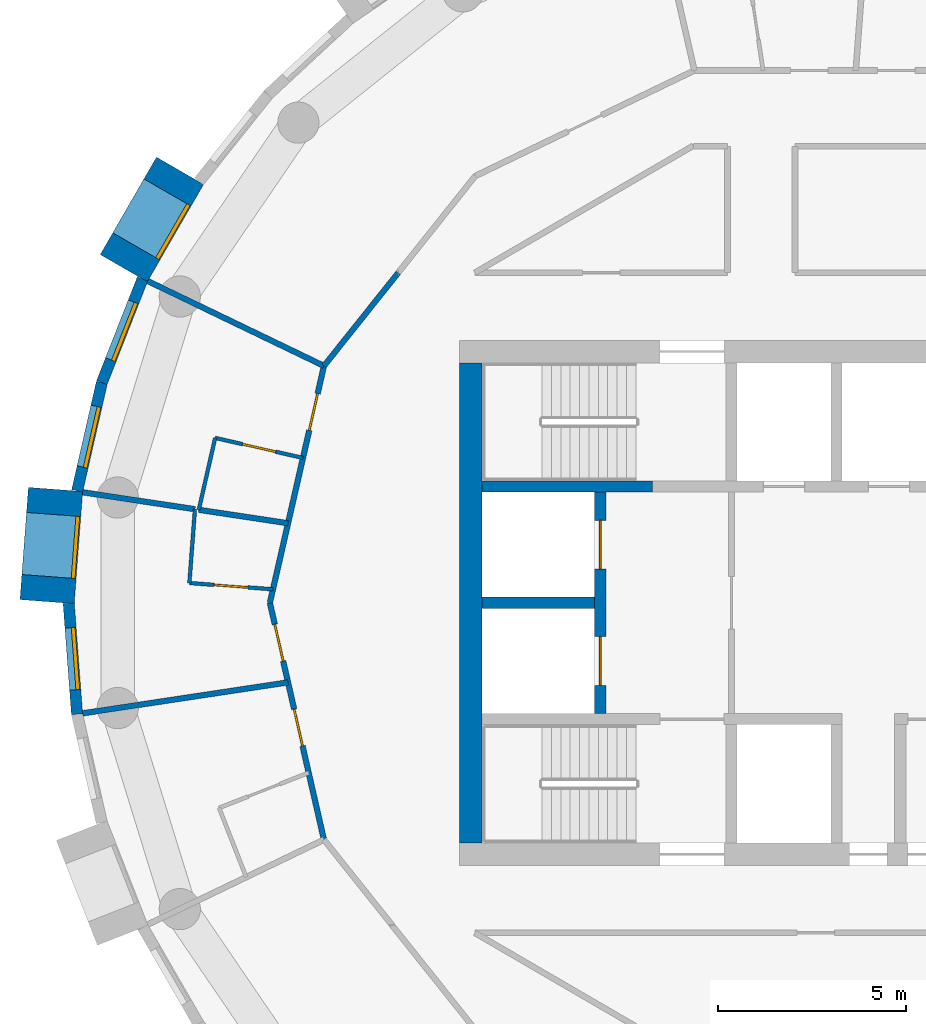
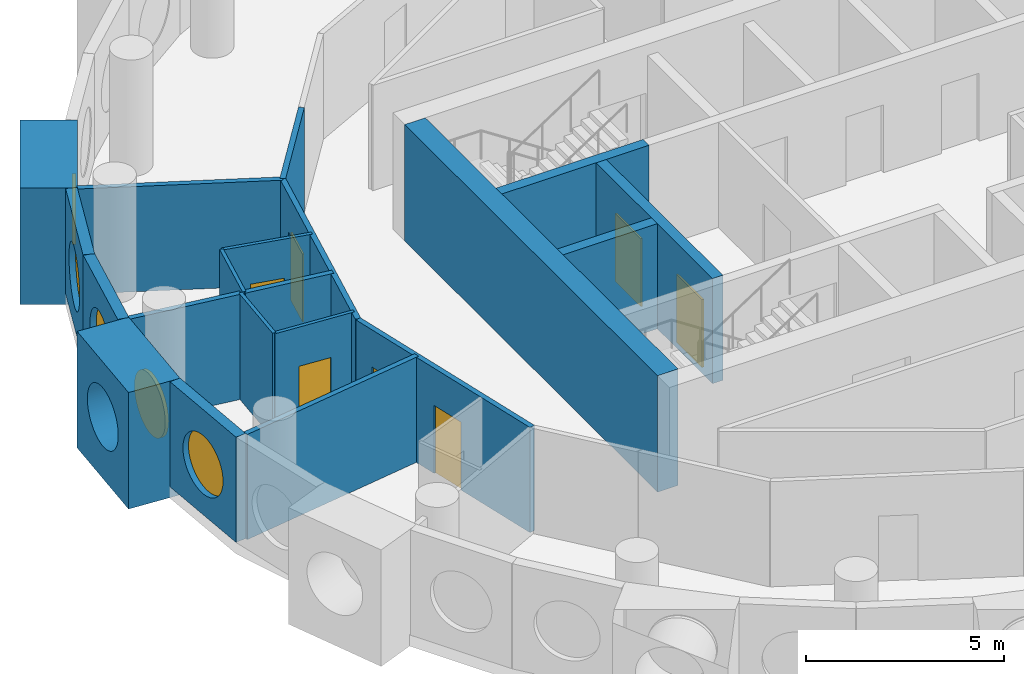
# One storey, part 5 of 12: 20 walls, 7 doors, 5 windows, 12 openings.
"""IFC4 building model written with IfcOpenShell, lengths in metres."""

from ifc_helpers import new_model, si_unit, direction, frame, frame_2d, origin, origin_2d, place, context, subcontext, project, spatial, rectangle, circle, extrude, material, layer, layer_set, type_object, element, fill, save


model = new_model("IFC4")

# Units and contexts
model_context = context("Model", 3, precision=1e-05, world=origin(), true_north=direction((0.0, 1.0)))
body_context = subcontext(model_context, "Body", "Model", "MODEL_VIEW")
ifc_project = project(units=[si_unit("LENGTHUNIT", "METRE"), si_unit("AREAUNIT", "SQUARE_METRE"), si_unit("VOLUMEUNIT", "CUBIC_METRE"), si_unit("PLANEANGLEUNIT", "RADIAN"), si_unit("MASSUNIT", "GRAM", prefix="KILO")], contexts=[model_context])

# Site, building, storey
site_placement = place(None, origin())
site = spatial("IfcSite", under=ifc_project, at=site_placement, CompositionType="ELEMENT")
building_placement = place(site_placement, origin())
building = spatial("IfcBuilding", under=site, at=building_placement, Name="Tracery Tower", CompositionType="ELEMENT")
storey_placement = place(building_placement, frame((0.0, 0.0, 245.39990234375)))
storey = spatial("IfcBuildingStorey", under=building, at=storey_placement, Name="L63", CompositionType="ELEMENT", Elevation=245.39990234375)

# Wall
ifc_material_1 = material(Name="Concrete C40/50", Category="concrete")
ifc_layer_1 = layer(ifc_material_1, 0.60009765625)
ifc_layer_set_1 = layer_set([ifc_layer_1], Name="Core wall 600 C40")
wall_type_1 = type_object("IfcWallType", Name="Core wall 600 C40", PredefinedType="SOLIDWALL", material=ifc_layer_set_1)
wall_1_placement = place(storey_placement, frame((-9.199951171875, -6.39990234375, 0.0), z_axis=(0.0, 0.0, 1.0), x_axis=(0.0, 1.0, 0.0)))
element("IfcWall", 1, at=wall_1_placement, inside=storey, type_object=wall_type_1, Name="L63 outer W", PredefinedType="SOLIDWALL", context=body_context, shape_type="SweptSolid", body=[
    extrude(rectangle(XDim=12.7998046875, YDim=0.60009765625, at=frame_2d((6.39990234375, 0.0))), origin(), (0.0, 0.0, 1.0), 3.60009765625),
])

# Wall, opening, window
ifc_material_2 = material(Name="Precast concrete C50/60", Category="concrete")
ifc_layer_2 = layer(ifc_material_2, 1.449951171875)
ifc_layer_set_2 = layer_set([ifc_layer_2], Name="Deep-set bay unit 3000 x 3600, slab edge 350")
wall_type_2 = type_object("IfcWallType", Name="Deep-set bay unit 3000 x 3600, slab edge 350", PredefinedType="ELEMENTEDWALL", material=ifc_layer_set_2)
wall_2_placement = place(storey_placement, frame((-16.952392578125, 11.51953125, -0.349853515625), z_axis=(0.0, 0.0, 1.0), x_axis=(-0.499990139034, -0.866031096941, 0.0)))
wall_2 = element("IfcWall", 2, at=wall_2_placement, inside=storey, type_object=wall_type_2, Name="Deep-set bay unit 18 at L63", PredefinedType="ELEMENTEDWALL", context=body_context, shape_type="SweptSolid", body=[
    extrude(rectangle(XDim=3.0, YDim=1.449951171875, at=frame_2d((1.5, 0.0))), origin(), (0.0, 0.0, 1.0), 3.599853515625),
])
opening_1_placement = place(wall_2_placement, frame((1.5, 0.0, 1.89990234375)))
opening_1 = element("IfcOpeningElement", 3, at=opening_1_placement, cuts=wall_2, Name="Opening WN1", PredefinedType="OPENING", context=body_context, shape_type="SweptSolid", body=[
    extrude(circle(Radius=0.9000244140625, at=origin_2d()), frame((0.0, 0.73486328125, 0.0), z_axis=(0.0, -1.0, 0.0), x_axis=(1.0, 0.0, 0.0)), (0.0, 0.0, 1.0), 1.469970703125),
])
ifc_material_3 = material(Name="Aluminium frame with tinted double glazing", Category="aluminium")
window_type = type_object("IfcWindowType", Name="Round window 1800", PartitioningType="SINGLE_PANEL", PredefinedType="WINDOW", material=ifc_material_3)
window_1_placement = place(opening_1_placement, origin())
window_1 = element("IfcWindow", 4, at=window_1_placement, inside=storey, type_object=window_type, Name="Round window 18 at L63", OverallHeight=1.800048828125, OverallWidth=1.800048828125, PartitioningType="SINGLE_PANEL", PredefinedType="WINDOW", context=body_context, shape_type="SweptSolid", body=[
    extrude(circle(Radius=0.9000244140625, at=origin_2d()), frame((0.0, 0.69482421875, 0.0), z_axis=(0.0, -1.0, 0.0), x_axis=(1.0, 0.0, 0.0)), (0.0, 0.0, 1.0), 0.10009765625),
])
fill(opening_1, window_1)

wall_3_placement = place(storey_placement, frame((-20.271728515625, 3.0234375, -0.349853515625), z_axis=(0.0, 0.0, 1.0), x_axis=(-0.074785902127, -0.997199613339, 0.0)))
wall_3 = element("IfcWall", 5, at=wall_3_placement, inside=storey, type_object=wall_type_2, Name="Deep-set bay unit 21 at L63", PredefinedType="ELEMENTEDWALL", context=body_context, shape_type="SweptSolid", body=[
    extrude(rectangle(XDim=3.0, YDim=1.449951171875, at=frame_2d((1.5, 0.0))), origin(), (0.0, 0.0, 1.0), 3.599853515625),
])
opening_2_placement = place(wall_3_placement, frame((1.5, 0.0, 1.89990234375)))
opening_2 = element("IfcOpeningElement", 6, at=opening_2_placement, cuts=wall_3, Name="Opening WN1", PredefinedType="OPENING", context=body_context, shape_type="SweptSolid", body=[
    extrude(circle(Radius=0.9000244140625, at=origin_2d()), frame((0.0, 0.73486328125, 0.0), z_axis=(0.0, -1.0, 0.0), x_axis=(1.0, 0.0, 0.0)), (0.0, 0.0, 1.0), 1.469970703125),
])
window_2_placement = place(opening_2_placement, origin())
window_2 = element("IfcWindow", 7, at=window_2_placement, inside=storey, type_object=window_type, Name="Round window 21 at L63", OverallHeight=1.800048828125, OverallWidth=1.800048828125, PartitioningType="SINGLE_PANEL", PredefinedType="WINDOW", context=body_context, shape_type="SweptSolid", body=[
    extrude(circle(Radius=0.9000244140625, at=origin_2d()), frame((0.0, 0.69482421875, 0.0), z_axis=(0.0, -1.0, 0.0), x_axis=(1.0, 0.0, 0.0)), (0.0, 0.0, 1.0), 0.10009765625),
])
fill(opening_2, window_2)

ifc_material_4 = material(Name="Precast concrete C50/60", Category="concrete")
ifc_layer_3 = layer(ifc_material_4, 0.300048828125)
ifc_layer_set_3 = layer_set([ifc_layer_3], Name="Facade panel 3000 x 3250")
wall_type_3 = type_object("IfcWallType", Name="Facade panel 3000 x 3250", PredefinedType="SOLIDWALL", material=ifc_layer_set_3)
wall_4_placement = place(storey_placement, frame((-17.95458984375, 8.62939453125, 0.0), z_axis=(0.0, 0.0, 1.0), x_axis=(-0.36530043032, -0.930889679612, 0.0)))
wall_4 = element("IfcWall", 8, at=wall_4_placement, inside=storey, type_object=wall_type_3, Name="Facade panel 19 at L63", PredefinedType="SOLIDWALL", context=body_context, shape_type="SweptSolid", body=[
    extrude(rectangle(XDim=2.9619140625, YDim=0.300048828125, at=frame_2d((1.48095703125, 0.0))), origin(), (0.0, 0.0, 1.0), 3.25),
])
opening_3_placement = place(wall_4_placement, frame((1.48095703125, 0.0, 1.5498046875)))
opening_3 = element("IfcOpeningElement", 9, at=opening_3_placement, cuts=wall_4, Name="Opening WN1", PredefinedType="OPENING", context=body_context, shape_type="SweptSolid", body=[
    extrude(circle(Radius=0.9000244140625, at=origin_2d()), frame((0.0, 0.159912109375, 0.0), z_axis=(0.0, -1.0, 0.0), x_axis=(1.0, 0.0, 0.0)), (0.0, 0.0, 1.0), 0.320068359375),
])
window_3_placement = place(opening_3_placement, origin())
window_3 = element("IfcWindow", 10, at=window_3_placement, inside=storey, type_object=window_type, Name="Round window 19 at L63", OverallHeight=1.800048828125, OverallWidth=1.800048828125, PartitioningType="SINGLE_PANEL", PredefinedType="WINDOW", context=body_context, shape_type="SweptSolid", body=[
    extrude(circle(Radius=0.9000244140625, at=origin_2d()), frame((0.0, 0.1201171875, 0.0), z_axis=(0.0, -1.0, 0.0), x_axis=(1.0, 0.0, 0.0)), (0.0, 0.0, 1.0), 0.10009765625),
])
fill(opening_3, window_3)

wall_5_placement = place(storey_placement, frame((-19.03662109375, 5.8720703125, 0.0), z_axis=(0.0, 0.0, 1.0), x_axis=(-0.222529389789, -0.974925982155, 0.0)))
wall_5 = element("IfcWall", 11, at=wall_5_placement, inside=storey, type_object=wall_type_3, Name="Facade panel 20 at L63", PredefinedType="SOLIDWALL", context=body_context, shape_type="SweptSolid", body=[
    extrude(rectangle(XDim=2.962158203125, YDim=0.300048828125, at=frame_2d((1.48095703125, 0.0))), origin(), (0.0, 0.0, 1.0), 3.25),
])
opening_4_placement = place(wall_5_placement, frame((1.48095703125, 0.0, 1.5498046875)))
opening_4 = element("IfcOpeningElement", 12, at=opening_4_placement, cuts=wall_5, Name="Opening WN1", PredefinedType="OPENING", context=body_context, shape_type="SweptSolid", body=[
    extrude(circle(Radius=0.9000244140625, at=origin_2d()), frame((0.0, 0.159912109375, 0.0), z_axis=(0.0, -1.0, 0.0), x_axis=(1.0, 0.0, 0.0)), (0.0, 0.0, 1.0), 0.320068359375),
])
window_4_placement = place(opening_4_placement, origin())
window_4 = element("IfcWindow", 13, at=window_4_placement, inside=storey, type_object=window_type, Name="Round window 20 at L63", OverallHeight=1.800048828125, OverallWidth=1.800048828125, PartitioningType="SINGLE_PANEL", PredefinedType="WINDOW", context=body_context, shape_type="SweptSolid", body=[
    extrude(circle(Radius=0.9000244140625, at=origin_2d()), frame((0.0, 0.1201171875, 0.0), z_axis=(0.0, -1.0, 0.0), x_axis=(1.0, 0.0, 0.0)), (0.0, 0.0, 1.0), 0.10009765625),
])
fill(opening_4, window_4)

wall_6_placement = place(storey_placement, frame((-19.920654296875, -0.01513671875, 0.0), z_axis=(0.0, 0.0, 1.0), x_axis=(0.07474897196, -0.997202382263, 0.0)))
wall_6 = element("IfcWall", 14, at=wall_6_placement, inside=storey, type_object=wall_type_3, Name="Facade panel 22 at L63", PredefinedType="SOLIDWALL", context=body_context, shape_type="SweptSolid", body=[
    extrude(rectangle(XDim=2.96240234375, YDim=0.300048828125, at=frame_2d((1.481201171875, 0.0))), origin(), (0.0, 0.0, 1.0), 3.25),
])
opening_5_placement = place(wall_6_placement, frame((1.48095703125, 0.0, 1.5498046875)))
opening_5 = element("IfcOpeningElement", 15, at=opening_5_placement, cuts=wall_6, Name="Opening WN1", PredefinedType="OPENING", context=body_context, shape_type="SweptSolid", body=[
    extrude(circle(Radius=0.9000244140625, at=origin_2d()), frame((0.0, 0.159912109375, 0.0), z_axis=(0.0, -1.0, 0.0), x_axis=(1.0, 0.0, 0.0)), (0.0, 0.0, 1.0), 0.320068359375),
])
window_5_placement = place(opening_5_placement, origin())
window_5 = element("IfcWindow", 16, at=window_5_placement, inside=storey, type_object=window_type, Name="Round window 22 at L63", OverallHeight=1.800048828125, OverallWidth=1.800048828125, PartitioningType="SINGLE_PANEL", PredefinedType="WINDOW", context=body_context, shape_type="SweptSolid", body=[
    extrude(circle(Radius=0.9000244140625, at=origin_2d()), frame((0.0, 0.1201171875, 0.0), z_axis=(0.0, -1.0, 0.0), x_axis=(1.0, 0.0, 0.0)), (0.0, 0.0, 1.0), 0.10009765625),
])
fill(opening_5, window_5)

# Wall, opening, door
ifc_material_5 = material(Name="Plasterboard on steel studs", Category="steel")
ifc_layer_4 = layer(ifc_material_5, 0.10009765625)
ifc_layer_set_4 = layer_set([ifc_layer_4], Name="Partition 100 wet wall")
wall_type_4 = type_object("IfcWallType", Name="Partition 100 wet wall", PredefinedType="PARTITIONING", material=ifc_layer_set_4)
wall_7_placement = place(storey_placement, frame((-16.014892578125, 4.39599609375, 0.0), z_axis=(0.0, 0.0, 1.0), x_axis=(0.97493862442, -0.222473995368, 0.0)))
wall_7 = element("IfcWall", 17, at=wall_7_placement, inside=storey, type_object=wall_type_4, Name="Wet wall RC2-056", PredefinedType="PARTITIONING", context=body_context, shape_type="SweptSolid", body=[
    extrude(rectangle(XDim=2.39990234375, YDim=0.10009765625, at=frame_2d((1.199951171875, 0.0))), origin(), (0.0, 0.0, 1.0), 3.25),
])
opening_6_placement = place(wall_7_placement, frame((0.750244140625, 0.0, 0.0)))
opening_6 = element("IfcOpeningElement", 18, at=opening_6_placement, cuts=wall_7, Name="Opening RC2-12", PredefinedType="OPENING", context=body_context, shape_type="SweptSolid", body=[
    extrude(rectangle(XDim=0.89990234375, YDim=2.0400390625, at=frame_2d((0.449951171875, 1.02001953125))), frame((0.0, 0.050048828125, 0.0), z_axis=(0.0, -1.0, 0.0), x_axis=(1.0, 0.0, 0.0)), (0.0, 0.0, 1.0), 0.10009765625),
])
ifc_material_6 = material(Name="Timber door leaf", Category="wood")
door_type_1 = type_object("IfcDoorType", Name="Door en-suite 900", OperationType="NOTDEFINED", PredefinedType="DOOR", material=ifc_material_6)
door_1_placement = place(opening_6_placement, origin())
door_1 = element("IfcDoor", 19, at=door_1_placement, inside=storey, type_object=door_type_1, Name="En-suite door RC2-12", OperationType="SINGLE_SWING_LEFT", OverallHeight=2.0400390625, OverallWidth=0.89990234375, PredefinedType="DOOR", context=body_context, shape_type="SweptSolid", body=[
    extrude(rectangle(XDim=0.89990234375, YDim=2.0400390625, at=frame_2d((0.449951171875, 1.02001953125))), frame((0.0, 0.02490234375, 0.0), z_axis=(0.0, -1.0, 0.0), x_axis=(1.0, 0.0, 0.0)), (0.0, 0.0, 1.0), 0.050048828125),
])
fill(opening_6, door_1)

# Walls
wall_8_placement = place(storey_placement, frame((-16.451904296875, 2.47998046875, 0.0), z_axis=(0.0, 0.0, 1.0), x_axis=(0.22237276708, 0.974961718459, 0.0)))
element("IfcWall", 20, at=wall_8_placement, inside=storey, type_object=wall_type_4, Name="Wet wall RC2-057", PredefinedType="PARTITIONING", context=body_context, shape_type="SweptSolid", body=[
    extrude(rectangle(XDim=1.96533203125, YDim=0.10009765625, at=frame_2d((0.982666015625, 0.0))), origin(), (0.0, 0.0, 1.0), 3.25),
])
wall_9_placement = place(storey_placement, frame((-16.702880859375, 0.527099609375, 0.0), z_axis=(0.0, 0.0, 1.0), x_axis=(0.07496524071, 0.99718614746, 0.0)))
element("IfcWall", 21, at=wall_9_placement, inside=storey, type_object=wall_type_4, Name="Wet wall RC2-060", PredefinedType="PARTITIONING", context=body_context, shape_type="SweptSolid", body=[
    extrude(rectangle(XDim=1.9736328125, YDim=0.10009765625, at=frame_2d((0.98681640625, 0.0))), origin(), (0.0, 0.0, 1.0), 3.25),
])

# Wall, opening, door
wall_10_placement = place(storey_placement, frame((-16.702880859375, 0.527099609375, 0.0), z_axis=(0.0, 0.0, 1.0), x_axis=(0.997202365433, -0.074749196488, 0.0)))
wall_10 = element("IfcWall", 22, at=wall_10_placement, inside=storey, type_object=wall_type_4, Name="Wet wall RC2-061", PredefinedType="PARTITIONING", context=body_context, shape_type="SweptSolid", body=[
    extrude(rectangle(XDim=2.234130859375, YDim=0.10009765625, at=frame_2d((1.1171875, 0.0))), origin(), (0.0, 0.0, 1.0), 3.25),
])
opening_7_placement = place(wall_10_placement, frame((0.6669921875, 0.0, 0.0)))
opening_7 = element("IfcOpeningElement", 23, at=opening_7_placement, cuts=wall_10, Name="Opening RC2-14", PredefinedType="OPENING", context=body_context, shape_type="SweptSolid", body=[
    extrude(rectangle(XDim=0.89990234375, YDim=2.0400390625, at=frame_2d((0.449951171875, 1.02001953125))), frame((0.0, 0.050048828125, 0.0), z_axis=(0.0, -1.0, 0.0), x_axis=(1.0, 0.0, 0.0)), (0.0, 0.0, 1.0), 0.10009765625),
])
door_2_placement = place(opening_7_placement, origin())
door_2 = element("IfcDoor", 24, at=door_2_placement, inside=storey, type_object=door_type_1, Name="En-suite door RC2-14", OperationType="SINGLE_SWING_LEFT", OverallHeight=2.0400390625, OverallWidth=0.89990234375, PredefinedType="DOOR", context=body_context, shape_type="SweptSolid", body=[
    extrude(rectangle(XDim=0.89990234375, YDim=2.0400390625, at=frame_2d((0.449951171875, 1.02001953125))), frame((0.0, 0.02490234375, 0.0), z_axis=(0.0, -1.0, 0.0), x_axis=(1.0, 0.0, 0.0)), (0.0, 0.0, 1.0), 0.050048828125),
])
fill(opening_7, door_2)

# Walls
ifc_material_7 = material(Name="Plasterboard on steel studs", Category="steel")
ifc_layer_5 = layer(ifc_material_7, 0.14990234375)
ifc_layer_set_5 = layer_set([ifc_layer_5], Name="Partition 150 acoustic unit wall")
wall_type_5 = type_object("IfcWallType", Name="Partition 150 acoustic unit wall", PredefinedType="PARTITIONING", material=ifc_layer_set_5)
wall_11_placement = place(storey_placement, frame((-17.81298828125, 8.577880859375, 0.0), z_axis=(0.0, 0.0, 1.0), x_axis=(0.901004381064, -0.433809987557, 0.0)))
element("IfcWall", 25, at=wall_11_placement, inside=storey, type_object=wall_type_5, Name="Unit wall RC2-055", PredefinedType="PARTITIONING", context=body_context, shape_type="SweptSolid", body=[
    extrude(rectangle(XDim=5.214111328125, YDim=0.14990234375, at=frame_2d((2.60693359375, 0.0))), origin(), (0.0, 0.0, 1.0), 3.25),
])
wall_12_placement = place(storey_placement, frame((-19.551025390625, 2.947021484375, 0.0), z_axis=(0.0, 0.0, 1.0), x_axis=(0.988844081525, -0.14895429646, 0.0)))
element("IfcWall", 26, at=wall_12_placement, inside=storey, type_object=wall_type_5, Name="Unit wall RC2-058", PredefinedType="PARTITIONING", context=body_context, shape_type="SweptSolid", body=[
    extrude(rectangle(XDim=3.033935546875, YDim=0.14990234375, at=frame_2d((1.51708984375, 0.0))), origin(), (0.0, 0.0, 1.0), 3.25),
])
wall_13_placement = place(storey_placement, frame((-16.451904296875, 2.47998046875, 0.0), z_axis=(0.0, 0.0, 1.0), x_axis=(0.988810951618, -0.149174065977, 0.0)))
element("IfcWall", 27, at=wall_13_placement, inside=storey, type_object=wall_type_5, Name="Unit wall RC2-059", PredefinedType="PARTITIONING", context=body_context, shape_type="SweptSolid", body=[
    extrude(rectangle(XDim=2.40576171875, YDim=0.14990234375, at=frame_2d((1.202880859375, 0.0))), origin(), (0.0, 0.0, 1.0), 3.25),
])
wall_14_placement = place(storey_placement, frame((-19.551025390625, -2.947021484375, 0.0), z_axis=(0.0, 0.0, 1.0), x_axis=(0.988824228734, 0.149086031099, 0.0)))
element("IfcWall", 28, at=wall_14_placement, inside=storey, type_object=wall_type_5, Name="Unit wall RC2-062", PredefinedType="PARTITIONING", context=body_context, shape_type="SweptSolid", body=[
    extrude(rectangle(XDim=5.5400390625, YDim=0.14990234375, at=frame_2d((2.77001953125, 0.0))), origin(), (0.0, 0.0, 1.0), 3.25),
])
ifc_material_8 = material(Name="Plasterboard on steel studs", Category="steel")
ifc_layer_6 = layer(ifc_material_8, 0.14990234375)
ifc_layer_set_6 = layer_set([ifc_layer_6], Name="Partition 150 corridor wall")
wall_type_6 = type_object("IfcWallType", Name="Partition 150 corridor wall", PredefinedType="PARTITIONING", material=ifc_layer_set_6)
wall_15_placement = place(storey_placement, frame((-13.114990234375, 6.31591796875, 0.0), z_axis=(0.0, 0.0, 1.0), x_axis=(0.623476099415, 0.781842409606, 0.0)))
element("IfcWall", 29, at=wall_15_placement, inside=storey, type_object=wall_type_6, Name="Corridor wall RC2-033", PredefinedType="PARTITIONING", context=body_context, shape_type="SweptSolid", body=[
    extrude(rectangle(XDim=3.17724609375, YDim=0.14990234375, at=frame_2d((1.588623046875, 0.0))), origin(), (0.0, 0.0, 1.0), 3.25),
])

# Wall, opening, door
wall_16_placement = place(storey_placement, frame((-14.556640625, 0.0, 0.0), z_axis=(0.0, 0.0, 1.0), x_axis=(0.222533159771, 0.974925121639, 0.0)))
wall_16 = element("IfcWall", 30, at=wall_16_placement, inside=storey, type_object=wall_type_6, Name="Corridor wall RC2-034", PredefinedType="PARTITIONING", context=body_context, shape_type="SweptSolid", body=[
    extrude(rectangle(XDim=6.478271484375, YDim=0.14990234375, at=frame_2d((3.2392578125, 0.0))), origin(), (0.0, 0.0, 1.0), 3.25),
])
opening_8_placement = place(wall_16_placement, frame((4.71826171875, 0.0, 0.0)))
opening_8 = element("IfcOpeningElement", 31, at=opening_8_placement, cuts=wall_16, Name="Opening RC2-13", PredefinedType="OPENING", context=body_context, shape_type="SweptSolid", body=[
    extrude(rectangle(XDim=1.0, YDim=2.10009765625, at=frame_2d((0.5, 1.050048828125))), frame((0.0, 0.074951171875, 0.0), z_axis=(0.0, -1.0, 0.0), x_axis=(1.0, 0.0, 0.0)), (0.0, 0.0, 1.0), 0.14990234375),
])
ifc_material_9 = material(Name="Timber door leaf", Category="wood")
door_type_2 = type_object("IfcDoorType", Name="Door unit entrance 1000", OperationType="NOTDEFINED", PredefinedType="DOOR", material=ifc_material_9)
door_3_placement = place(opening_8_placement, origin())
door_3 = element("IfcDoor", 32, at=door_3_placement, inside=storey, type_object=door_type_2, Name="Unit entrance door RC2-13", OperationType="SINGLE_SWING_RIGHT", OverallHeight=2.10009765625, OverallWidth=1.0, PredefinedType="DOOR", context=body_context, shape_type="SweptSolid", body=[
    extrude(rectangle(XDim=1.0, YDim=2.10009765625, at=frame_2d((0.5, 1.050048828125))), frame((0.0, 0.02490234375, 0.0), z_axis=(0.0, -1.0, 0.0), x_axis=(1.0, 0.0, 0.0)), (0.0, 0.0, 1.0), 0.050048828125),
])
fill(opening_8, door_3)

# Wall, openings, doors
wall_17_placement = place(storey_placement, frame((-14.556884765625, 0.0, 0.0), z_axis=(0.0, 0.0, 1.0), x_axis=(0.222489165471, -0.974935162587, 0.0)))
wall_17 = element("IfcWall", 33, at=wall_17_placement, inside=storey, type_object=wall_type_6, Name="Corridor wall RC2-035", PredefinedType="PARTITIONING", context=body_context, shape_type="SweptSolid", body=[
    extrude(rectangle(XDim=6.478515625, YDim=0.14990234375, at=frame_2d((3.2392578125, 0.0))), origin(), (0.0, 0.0, 1.0), 3.25),
])
opening_9_placement = place(wall_17_placement, frame((0.589599609375, 0.0, 0.0)))
opening_9 = element("IfcOpeningElement", 34, at=opening_9_placement, cuts=wall_17, Name="Opening RC2-15", PredefinedType="OPENING", context=body_context, shape_type="SweptSolid", body=[
    extrude(rectangle(XDim=1.0, YDim=2.10009765625, at=frame_2d((0.5, 1.050048828125))), frame((0.0, 0.074951171875, 0.0), z_axis=(0.0, -1.0, 0.0), x_axis=(1.0, 0.0, 0.0)), (0.0, 0.0, 1.0), 0.14990234375),
])
opening_10_placement = place(wall_17_placement, frame((2.91162109375, 0.0, 0.0)))
opening_10 = element("IfcOpeningElement", 35, at=opening_10_placement, cuts=wall_17, Name="Opening RC2-17", PredefinedType="OPENING", context=body_context, shape_type="SweptSolid", body=[
    extrude(rectangle(XDim=1.0, YDim=2.10009765625, at=frame_2d((0.5, 1.050048828125))), frame((0.0, 0.074951171875, 0.0), z_axis=(0.0, -1.0, 0.0), x_axis=(1.0, 0.0, 0.0)), (0.0, 0.0, 1.0), 0.14990234375),
])
door_4_placement = place(opening_9_placement, origin())
door_4 = element("IfcDoor", 36, at=door_4_placement, inside=storey, type_object=door_type_2, Name="Unit entrance door RC2-15", OperationType="SINGLE_SWING_RIGHT", OverallHeight=2.10009765625, OverallWidth=1.0, PredefinedType="DOOR", context=body_context, shape_type="SweptSolid", body=[
    extrude(rectangle(XDim=1.0, YDim=2.10009765625, at=frame_2d((0.5, 1.050048828125))), frame((0.0, 0.02490234375, 0.0), z_axis=(0.0, -1.0, 0.0), x_axis=(1.0, 0.0, 0.0)), (0.0, 0.0, 1.0), 0.050048828125),
])
fill(opening_9, door_4)
door_5_placement = place(opening_10_placement, origin())
door_5 = element("IfcDoor", 37, at=door_5_placement, inside=storey, type_object=door_type_2, Name="Unit entrance door RC2-17", OperationType="SINGLE_SWING_LEFT", OverallHeight=2.10009765625, OverallWidth=1.0, PredefinedType="DOOR", context=body_context, shape_type="SweptSolid", body=[
    extrude(rectangle(XDim=1.0, YDim=2.10009765625, at=frame_2d((0.5, 1.050048828125))), frame((0.0, 0.02490234375, 0.0), z_axis=(0.0, -1.0, 0.0), x_axis=(1.0, 0.0, 0.0)), (0.0, 0.0, 1.0), 0.050048828125),
])
fill(opening_10, door_5)

# Wall
ifc_material_10 = material(Name="Concrete C40/50", Category="concrete")
ifc_layer_7 = layer(ifc_material_10, 0.300048828125)
ifc_layer_set_7 = layer_set([ifc_layer_7], Name="Shaft wall 300 C40")
wall_type_7 = type_object("IfcWallType", Name="Shaft wall 300 C40", PredefinedType="SOLIDWALL", material=ifc_layer_set_7)
wall_18_placement = place(storey_placement, frame((-8.89990234375, 0.0, 0.0), z_axis=(0.0, 0.0, 1.0), x_axis=(1.0, 0.0, 0.0)))
element("IfcWall", 38, at=wall_18_placement, inside=storey, type_object=wall_type_7, Name="L63 FF split", PredefinedType="SOLIDWALL", context=body_context, shape_type="SweptSolid", body=[
    extrude(rectangle(XDim=3.0, YDim=0.300048828125, at=frame_2d((1.5, 0.0))), origin(), (0.0, 0.0, 1.0), 3.25),
])

# Wall, openings, doors
wall_19_placement = place(storey_placement, frame((-5.75, -2.949951171875, 0.0), z_axis=(0.0, 0.0, 1.0), x_axis=(0.0, 1.0, 0.0)))
wall_19 = element("IfcWall", 39, at=wall_19_placement, inside=storey, type_object=wall_type_7, Name="L63 FF doors", PredefinedType="SOLIDWALL", context=body_context, shape_type="SweptSolid", body=[
    extrude(rectangle(XDim=5.89990234375, YDim=0.300048828125, at=frame_2d((2.949951171875, 0.0))), origin(), (0.0, 0.0, 1.0), 3.25),
])
opening_11_placement = place(wall_19_placement, frame((0.75, 0.0, 0.0)))
opening_11 = element("IfcOpeningElement", 40, at=opening_11_placement, cuts=wall_19, Name="Opening KD54", PredefinedType="OPENING", context=body_context, shape_type="SweptSolid", body=[
    extrude(rectangle(XDim=1.300048828125, YDim=2.10009765625, at=frame_2d((0.64990234375, 1.050048828125))), frame((0.0, 0.14990234375, 0.0), z_axis=(0.0, -1.0, 0.0), x_axis=(1.0, 0.0, 0.0)), (0.0, 0.0, 1.0), 0.300048828125),
])
opening_12_placement = place(wall_19_placement, frame((3.85009765625, 0.0, 0.0)))
opening_12 = element("IfcOpeningElement", 41, at=opening_12_placement, cuts=wall_19, Name="Opening KD55", PredefinedType="OPENING", context=body_context, shape_type="SweptSolid", body=[
    extrude(rectangle(XDim=1.300048828125, YDim=2.10009765625, at=frame_2d((0.64990234375, 1.050048828125))), frame((0.0, 0.14990234375, 0.0), z_axis=(0.0, -1.0, 0.0), x_axis=(1.0, 0.0, 0.0)), (0.0, 0.0, 1.0), 0.300048828125),
])
ifc_material_11 = material(Name="Steel fire door", Category="steel")
door_type_3 = type_object("IfcDoorType", Name="Landing door FF 1300", OperationType="NOTDEFINED", PredefinedType="DOOR", material=ifc_material_11)
door_6_placement = place(opening_11_placement, origin())
door_6 = element("IfcDoor", 42, at=door_6_placement, inside=storey, type_object=door_type_3, Name="Landing door FF1", OperationType="SLIDING_TO_LEFT", OverallHeight=2.10009765625, OverallWidth=1.300048828125, PredefinedType="DOOR", context=body_context, shape_type="SweptSolid", body=[
    extrude(rectangle(XDim=1.300048828125, YDim=2.10009765625, at=frame_2d((0.64990234375, 1.050048828125))), frame((0.0, 0.02490234375, 0.0), z_axis=(0.0, -1.0, 0.0), x_axis=(1.0, 0.0, 0.0)), (0.0, 0.0, 1.0), 0.050048828125),
])
fill(opening_11, door_6)
door_7_placement = place(opening_12_placement, origin())
door_7 = element("IfcDoor", 43, at=door_7_placement, inside=storey, type_object=door_type_3, Name="Landing door FF2", OperationType="SLIDING_TO_RIGHT", OverallHeight=2.10009765625, OverallWidth=1.300048828125, PredefinedType="DOOR", context=body_context, shape_type="SweptSolid", body=[
    extrude(rectangle(XDim=1.300048828125, YDim=2.10009765625, at=frame_2d((0.64990234375, 1.050048828125))), frame((0.0, 0.02490234375, 0.0), z_axis=(0.0, -1.0, 0.0), x_axis=(1.0, 0.0, 0.0)), (0.0, 0.0, 1.0), 0.050048828125),
])
fill(opening_12, door_7)

# Wall
ifc_material_12 = material(Name="Concrete C40/50", Category="concrete")
ifc_layer_8 = layer(ifc_material_12, 0.300048828125)
ifc_layer_set_8 = layer_set([ifc_layer_8], Name="Stair wall 300 C40")
wall_type_8 = type_object("IfcWallType", Name="Stair wall 300 C40", PredefinedType="SOLIDWALL", material=ifc_layer_set_8)
wall_20_placement = place(storey_placement, frame((-8.89990234375, 3.10009765625, 0.0), z_axis=(0.0, 0.0, 1.0), x_axis=(1.0, 0.0, 0.0)))
element("IfcWall", 44, at=wall_20_placement, inside=storey, type_object=wall_type_8, Name="L63 row N W", PredefinedType="SOLIDWALL", context=body_context, shape_type="SweptSolid", body=[
    extrude(rectangle(XDim=4.5498046875, YDim=0.300048828125, at=frame_2d((2.27490234375, 0.0))), origin(), (0.0, 0.0, 1.0), 3.25),
])

save(model, "model.ifc")
